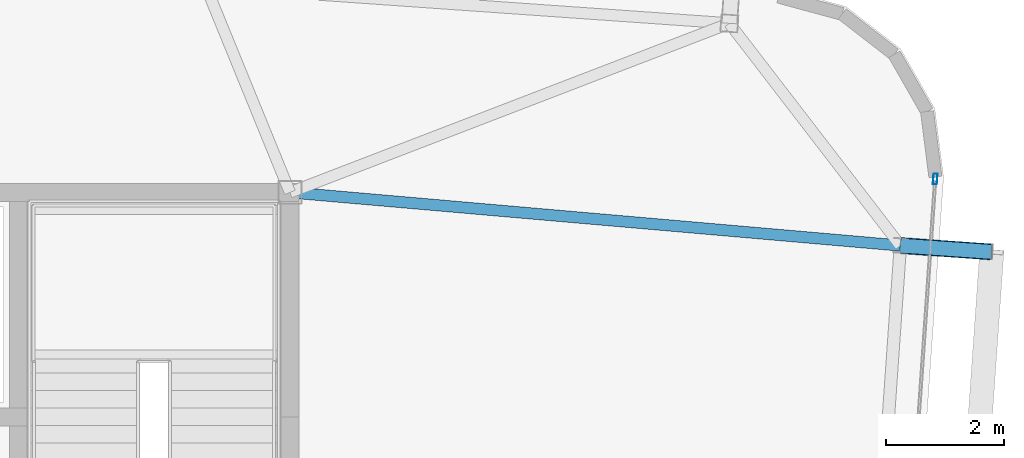
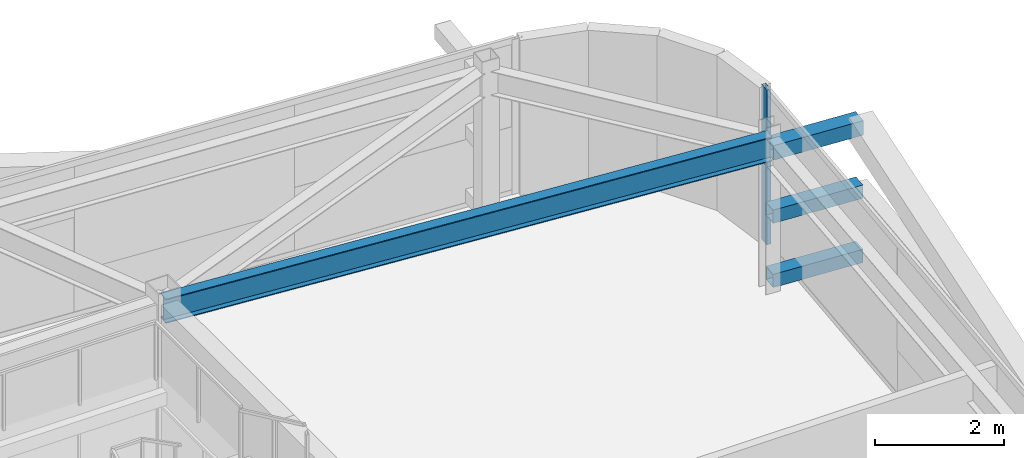
# One storey, part 18 of 39: 4 members, 1 beam, 1 element without a shape of its own.
"""IFC4 building model written with IfcOpenShell, lengths in metres."""

import ifcopenshell
import ifcopenshell.guid

model = None  # the IFC model being written
_history = None  # IfcOwnerHistory: only IFC2X3 demands one
_inside = {}  # id of a spatial element -> (the spatial element, [elements in it])
_under = {}  # id of a project, library or spatial element -> (it, [spatial elements below it])
_declared = {}  # id of a project -> (the project, [libraries it declares])
_typed = {}  # id of a type object -> (the type object, [elements of that type])
_made_of = {}  # id of a material, layer set ... -> (it, [elements and type objects made of it])


def new_model(schema):
    """Start an empty IFC model of exactly this schema.

    Asked for "IFC4X3", IfcOpenShell would pick the latest addendum, in which some entities
    have other attributes; the version numbers below select the first issue.
    IFC2X3 requires an IfcOwnerHistory on every rooted entity: one is made here for all.
    """
    global model, _history
    if schema == "IFC4X3":
        model = ifcopenshell.file(schema_version=(4, 3, 0, 0))
    else:
        model = ifcopenshell.file(schema=schema)
    _inside.clear()
    _under.clear()
    _declared.clear()
    _typed.clear()
    _made_of.clear()
    _history = None
    if model.schema == "IFC2X3":
        org = make("IfcOrganization", Name="unknown")
        user = make(
            "IfcPersonAndOrganization",
            ThePerson=make("IfcPerson", FamilyName="unknown"),
            TheOrganization=org,
        )
        app = make(
            "IfcApplication",
            ApplicationDeveloper=org,
            Version="unknown",
            ApplicationFullName="unknown",
            ApplicationIdentifier="unknown",
        )
        _history = make(
            "IfcOwnerHistory",
            OwningUser=user,
            OwningApplication=app,
            ChangeAction="ADDED",
            CreationDate=0,
        )
    return model


def make(cls, **values):
    """One entity of the class cls with the attributes given. An attribute that is None is left unset."""
    return model.create_entity(
        cls, **{name: value for name, value in values.items() if value is not None}
    )


def rooted(cls, **values):
    """An entity with a GlobalId (a new one), such as an element, a storey or a relation."""
    return make(cls, GlobalId=ifcopenshell.guid.new(), OwnerHistory=_history, **values)


def si_unit(unit_type, name, prefix=None):
    """IfcSIUnit, for example si_unit("LENGTHUNIT", "METRE", prefix="MILLI")."""
    return make("IfcSIUnit", UnitType=unit_type, Prefix=prefix, Name=name)


def assignment(units):
    """IfcUnitAssignment: the units of a project."""
    return None if units is None else make("IfcUnitAssignment", Units=units)


def point(xyz):
    """IfcCartesianPoint."""
    return None if xyz is None else make("IfcCartesianPoint", Coordinates=xyz)


def direction(xyz):
    """IfcDirection."""
    return None if xyz is None else make("IfcDirection", DirectionRatios=xyz)


def frame(location, z_axis=None, x_axis=None):
    """IfcAxis2Placement3D, a coordinate frame: its origin and axes. An axis left out is left unset."""
    return make(
        "IfcAxis2Placement3D",
        Location=point(location),
        Axis=direction(z_axis),
        RefDirection=direction(x_axis),
    )


def frame_2d(location, x_axis=None):
    """IfcAxis2Placement2D, a coordinate frame in the plane: its origin and x axis."""
    return make(
        "IfcAxis2Placement2D", Location=point(location), RefDirection=direction(x_axis)
    )


def origin():
    """The frame at (0, 0, 0) with its axes left unset."""
    return frame((0.0, 0.0, 0.0))


def origin_2d():
    """The frame at (0, 0) in the plane with its x axis left unset."""
    return frame_2d((0.0, 0.0))


def place(relative_to, where):
    """IfcLocalPlacement: puts the frame where relative to a parent placement (None: the world)."""
    return make(
        "IfcLocalPlacement", PlacementRelTo=relative_to, RelativePlacement=where
    )


def context(
    kind, dimensions, precision=None, world=None, true_north=None, identifier=None
):
    """IfcGeometricRepresentationContext, for example the 3D "Model" context."""
    return make(
        "IfcGeometricRepresentationContext",
        ContextIdentifier=identifier,
        ContextType=kind,
        CoordinateSpaceDimension=dimensions,
        Precision=precision,
        WorldCoordinateSystem=world,
        TrueNorth=true_north,
    )


def subcontext(parent, identifier, kind, view, scale=None):
    """IfcGeometricRepresentationSubContext, for example "Body" below "Model"."""
    return make(
        "IfcGeometricRepresentationSubContext",
        ContextIdentifier=identifier,
        ContextType=kind,
        ParentContext=parent,
        TargetScale=scale,
        TargetView=view,
    )


def project(units=None, contexts=None):
    """IfcProject with its units and contexts."""
    return rooted(
        "IfcProject",
        Name="project",
        RepresentationContexts=contexts,
        UnitsInContext=assignment(units),
    )


def spatial(cls, under=None, at=None, **own):
    """A site, building, storey or space (cls), placed at a placement, below another one or the project."""
    s = rooted(cls, ObjectPlacement=at, **own)
    if under is not None:
        _under.setdefault(under.id(), (under, []))[1].append(s)
    return s


def profile(cls, at=None, kind="AREA", **sizes):
    """A parametric profile (cls). Its sizes go by their IFC names, for example OverallWidth=200.0."""
    return make(cls, ProfileType=kind, Position=at, **sizes)


def hollow_rectangle(**sizes):
    """IfcRectangleHollowProfileDef."""
    return profile("IfcRectangleHollowProfileDef", **sizes)


def i_section(**sizes):
    """IfcIShapeProfileDef."""
    return profile("IfcIShapeProfileDef", **sizes)


def extrude(swept, where, along, depth):
    """IfcExtrudedAreaSolid: the profile swept, set in the frame where, extruded along a direction by depth."""
    return make(
        "IfcExtrudedAreaSolid",
        SweptArea=swept,
        Position=where,
        ExtrudedDirection=direction(along),
        Depth=depth,
    )


def shape(context_of_items, identifier, shape_type, items):
    """IfcShapeRepresentation: the items that make up one representation, for example the "Body"."""
    return make(
        "IfcShapeRepresentation",
        ContextOfItems=context_of_items,
        RepresentationIdentifier=identifier,
        RepresentationType=shape_type,
        Items=items,
    )


def source(mapping_origin, context_of_items, identifier, shape_type, items):
    """IfcRepresentationMap: a shape defined once, which mapped items show again and again."""
    return make(
        "IfcRepresentationMap",
        MappingOrigin=mapping_origin,
        MappedRepresentation=shape(context_of_items, identifier, shape_type, items),
    )


def transform(
    local_origin,
    x_axis=None,
    y_axis=None,
    z_axis=None,
    scale=None,
    scale2=None,
    scale3=None,
    uniform=True,
):
    """IfcCartesianTransformationOperator3D, or its non-uniform kind. x_axis, y_axis, z_axis: its Axis1, 2, 3."""
    if uniform:
        return make(
            "IfcCartesianTransformationOperator3D",
            Axis1=direction(x_axis),
            Axis2=direction(y_axis),
            LocalOrigin=point(local_origin),
            Scale=scale,
            Axis3=direction(z_axis),
        )
    return make(
        "IfcCartesianTransformationOperator3DnonUniform",
        Axis1=direction(x_axis),
        Axis2=direction(y_axis),
        LocalOrigin=point(local_origin),
        Scale=scale,
        Axis3=direction(z_axis),
        Scale2=scale2,
        Scale3=scale3,
    )


def mapped(mapping_source, mapping_target):
    """IfcMappedItem: shows the shape of a source again, moved by a transform."""
    return make(
        "IfcMappedItem", MappingSource=mapping_source, MappingTarget=mapping_target
    )


def material(Name=None, Category=None):
    """IfcMaterial."""
    return make("IfcMaterial", Name=Name, Category=Category)


def layer(
    of_material, thickness, ventilated=None, Name=None, Category=None, Priority=None
):
    """IfcMaterialLayer: one layer of a wall or slab, of a material (None: an air gap)."""
    return make(
        "IfcMaterialLayer",
        Material=of_material,
        LayerThickness=thickness,
        IsVentilated=ventilated,
        Name=Name,
        Category=Category,
        Priority=Priority,
    )


def layer_set(layers, Name=None):
    """IfcMaterialLayerSet."""
    return make("IfcMaterialLayerSet", MaterialLayers=layers, LayerSetName=Name)


def material_profile(
    of_material, cross_section, Name=None, Category=None, Priority=None
):
    """IfcMaterialProfile: a cross section and its material."""
    return make(
        "IfcMaterialProfile",
        Name=Name,
        Material=of_material,
        Profile=cross_section,
        Priority=Priority,
        Category=Category,
    )


def profile_set(profiles, Name=None, composite=None):
    """IfcMaterialProfileSet."""
    return make(
        "IfcMaterialProfileSet",
        Name=Name,
        MaterialProfiles=profiles,
        CompositeProfile=composite,
    )


def made_of(thing, what):
    """Note that an element or type object is made of a material, layer set ...; save() writes the relation."""
    if what is not None:
        _made_of.setdefault(what.id(), (what, []))[1].append(thing)
    return thing


def type_object(cls, material=None, **own):
    """A type object (cls), such as IfcWallType, which elements share."""
    return made_of(rooted(cls, **own), material)


def element(
    cls,
    number,
    at=None,
    inside=None,
    cuts=None,
    type_object=None,
    material=None,
    context=None,
    identifier="Body",
    shape_type=None,
    held_by="IfcProductDefinitionShape",
    body=None,
    shapes=None,
    **own,
):
    """One element of the class cls, such as IfcWall. Its Tag is "e" and its number.

    at: its placement. inside: the storey or other place that contains it. cuts: it is an
    opening in that element (IfcRelVoidsElement). A single representation is given by context,
    identifier, shape_type and body (its items); several are given by shapes. held_by: the class
    of the entity that holds the representations. save() writes the other relations.
    """
    e = rooted(cls, Tag="e%d" % number, ObjectPlacement=at, **own)
    if body is not None:
        shapes = [shape(context, identifier, shape_type, body)]
    if shapes is not None:
        e.Representation = make(held_by, Representations=shapes)
    if inside is not None:
        _inside.setdefault(inside.id(), (inside, []))[1].append(e)
    if cuts is not None:
        rooted(
            "IfcRelVoidsElement", RelatingBuildingElement=cuts, RelatedOpeningElement=e
        )
    if type_object is not None:
        _typed.setdefault(type_object.id(), (type_object, []))[1].append(e)
    return made_of(e, material)


def aggregate(whole, parts):
    """IfcRelAggregates: a whole, such as a stair, and the parts it consists of."""
    return rooted("IfcRelAggregates", RelatingObject=whole, RelatedObjects=parts)


def save(model, path):
    """Write the relations noted so far, then the file.

    IfcRelAggregates (storeys below a building ...), IfcRelContainedInSpatialStructure (elements
    in a storey), IfcRelDefinesByType, IfcRelAssociatesMaterial and IfcRelDeclares: one each for
    every whole, place, type object, material and project.
    """
    for whole, parts in _under.values():
        aggregate(whole, parts)
    for where, things in _inside.values():
        rooted(
            "IfcRelContainedInSpatialStructure",
            RelatedElements=things,
            RelatingStructure=where,
        )
    for kind, things in _typed.values():
        rooted("IfcRelDefinesByType", RelatedObjects=things, RelatingType=kind)
    for what, things in _made_of.values():
        rooted("IfcRelAssociatesMaterial", RelatedObjects=things, RelatingMaterial=what)
    for by, libraries in _declared.values():
        rooted("IfcRelDeclares", RelatingContext=by, RelatedDefinitions=libraries)
    model.write(path)


model = new_model("IFC4")

# Units and contexts
model_context = context("Model", 3, precision=1e-05, world=origin(), true_north=direction((0.0, 1.0)))
body_context = subcontext(model_context, "Body", "Model", "MODEL_VIEW")
ifc_project = project(units=[si_unit("LENGTHUNIT", "METRE"), si_unit("AREAUNIT", "SQUARE_METRE"), si_unit("VOLUMEUNIT", "CUBIC_METRE"), si_unit("PLANEANGLEUNIT", "RADIAN"), si_unit("MASSUNIT", "GRAM", prefix="KILO")], contexts=[model_context])

# Site, building, storey
site_placement = place(None, origin())
site = spatial("IfcSite", under=ifc_project, at=site_placement, CompositionType="ELEMENT")
building_placement = place(site_placement, origin())
building = spatial("IfcBuilding", under=site, at=building_placement, Name="Taldren Reach Tower", CompositionType="ELEMENT")
storey_placement = place(building_placement, frame((0.0, 0.0, 148.75)))
storey = spatial("IfcBuildingStorey", under=building, at=storey_placement, Name="L45", CompositionType="ELEMENT", Elevation=148.75)

# Members
ifc_material_1 = material(Name="Steel Gr 450 (C450L0)", Category="steel")
ifc_material_profile_1 = material_profile(ifc_material_1, hollow_rectangle(XDim=0.27490234375, YDim=0.27490234375, WallThickness=0.00927734375, at=origin_2d()), Name="275x275x9.3SHS")
ifc_profile_set_1 = profile_set([ifc_material_profile_1], Name="Steel Gr 450 (C450L0)")
member_type_1 = type_object("IfcMemberType", Name="MB-TIE273", PredefinedType="STRUT", material=ifc_profile_set_1)
shared_shape_1 = source(origin(), body_context, "Body", "SweptSolid", [
    extrude(hollow_rectangle(XDim=0.27490234375, YDim=0.27490234375, WallThickness=0.00927734375, at=origin_2d()), origin(), (0.0, 0.0, 1.0), 1.550048828125),
])
member_1_placement = place(storey_placement, frame((61.3310546875, 31.1005859375, 2.64990234375), z_axis=(0.99756313426, -0.06976957191, 0.0), x_axis=(0.06976957191, 0.99756313426, 0.0)))
element("IfcMember", 1, at=member_1_placement, inside=storey, type_object=member_type_1, Name="Exoskeleton diaphragm tie strut B3-E3 L45", PredefinedType="STRUT", context=body_context, shape_type="MappedRepresentation", body=[
    mapped(shared_shape_1, transform((0.0, 0.0, 0.0), scale=1.0)),
])
ifc_material_2 = material(Name="Steel Gr 350 (C350L0)", Category="steel")
ifc_material_profile_2 = material_profile(ifc_material_2, hollow_rectangle(XDim=0.25, YDim=0.25, WallThickness=0.010009765625, at=origin_2d()), Name="250x250x10.0SHS")
ifc_profile_set_2 = profile_set([ifc_material_profile_2], Name="Steel Gr 350 (C350L0)")
member_type_2 = type_object("IfcMemberType", Name="MB-POST250", PredefinedType="POST", material=ifc_profile_set_2)
shared_shape_2 = source(origin(), body_context, "Body", "SweptSolid", [
    extrude(hollow_rectangle(XDim=0.25, YDim=0.25, WallThickness=0.010009765625, at=origin_2d()), origin(), (0.0, 0.0, 1.0), 1.550048828125),
])
for number, where, z_axis, x_axis, name in (
    (2, (61.3310546875, 31.1005859375, 0.219970703125), (0.99756313426, -0.06976957191, 0.0), (0.06976957191, 0.99756313426, 0.0), "Exoskeleton base diaphragm tie strut B3-E3 L45"),
    (3, (61.3310546875, 31.1005859375, 1.43505859375), (0.99756313426, -0.06976957191, 0.0), (0.06976957191, 0.99756313426, 0.0), "Exoskeleton mid-tier diaphragm tie B3-E3 L45"),
):
    element("IfcMember", number, at=place(storey_placement, frame(where, z_axis=z_axis, x_axis=x_axis)), inside=storey, type_object=member_type_2, Name=name, PredefinedType="POST", context=body_context, shape_type="MappedRepresentation", body=[
        mapped(shared_shape_2, transform((0.0, 0.0, 0.0), scale=1.0)),
    ])

# Beam
ifc_material_3 = material(Name="Steel Gr 350 (350PLUS)", Category="steel")
ifc_material_profile_3 = material_profile(ifc_material_3, i_section(OverallWidth=0.19091796875, OverallDepth=0.4599609375, WebThickness=0.010009765625, FlangeThickness=0.01611328125, at=origin_2d()), Name="460UB82.1")
ifc_profile_set_3 = profile_set([ifc_material_profile_3], Name="Steel Gr 350 (350PLUS)")
beam_type = type_object("IfcBeamType", Name="BM-UB460A", PredefinedType="BEAM", material=ifc_profile_set_3)
shared_shape_3 = source(origin(), body_context, "Body", "SweptSolid", [
    extrude(i_section(OverallWidth=0.19091796875, OverallDepth=0.4599609375, WebThickness=0.010009765625, FlangeThickness=0.01611328125, at=origin_2d()), origin(), (0.0, 0.0, 1.0), 10.3701171875),
])
beam_placement = place(storey_placement, frame((51.0, 32.0, 2.699951171875), z_axis=(0.996231748992, -0.086731207186, 0.0), x_axis=(0.086731207186, 0.996231748992, 0.0)))
element("IfcBeam", 4, at=beam_placement, inside=storey, type_object=beam_type, Name="Primary floor girder B3-E3 L45", PredefinedType="BEAM", context=body_context, shape_type="MappedRepresentation", body=[
    mapped(shared_shape_3, transform((0.0, 0.0, 0.0), scale=1.0)),
])

# Curtain wall, member
ifc_material_4 = material(Name="Aluminium and Low-E Glass Unitised System", Category="aluminium")
ifc_layer = layer(ifc_material_4, 0.159912109375)
ifc_layer_set = layer_set([ifc_layer], Name="Aluminium and Low-E Glass Unitised System")
curtain_wall_type = type_object("IfcCurtainWallType", Name="CW-SYS-4", PredefinedType="NOTDEFINED", material=ifc_layer_set)
curtain_wall_placement = place(storey_placement, origin())
curtain_wall = element("IfcCurtainWall", 5, at=curtain_wall_placement, inside=storey, type_object=curtain_wall_type, Name="Unitised curtain wall CW-L45-E", PredefinedType="NOTDEFINED")
ifc_material_5 = material(Name="Anodised Aluminium 6063-T6", Category="aluminium")
ifc_material_profile_4 = material_profile(ifc_material_5, hollow_rectangle(XDim=0.070068359375, YDim=0.179931640625, WallThickness=0.00390625, at=origin_2d()), Name="ALU-180x70x4RHS")
ifc_profile_set_4 = profile_set([ifc_material_profile_4], Name="Anodised Aluminium 6063-T6")
member_type_3 = type_object("IfcMemberType", Name="CW-MUL-180", PredefinedType="MULLION", material=ifc_profile_set_4)
shared_shape_4 = source(origin(), body_context, "Body", "SweptSolid", [
    extrude(hollow_rectangle(XDim=0.070068359375, YDim=0.179931640625, WallThickness=0.00390625, at=origin_2d()), origin(), (0.0, 0.0, 1.0), 2.929931640625),
])
member_2_placement = place(storey_placement, frame((61.921142578125, 32.22705078125, 0.0), z_axis=(0.0, 0.0, 1.0), x_axis=(-0.997564052812, 0.069756437251, 0.0)))
member_2 = element("IfcMember", 6, at=member_2_placement, type_object=member_type_3, Name="CW-4 mullion 3", PredefinedType="MULLION", context=body_context, shape_type="MappedRepresentation", body=[
    mapped(shared_shape_4, transform((0.0, 0.0, 0.0), scale=1.0)),
])
aggregate(curtain_wall, [member_2])

save(model, "model.ifc")
